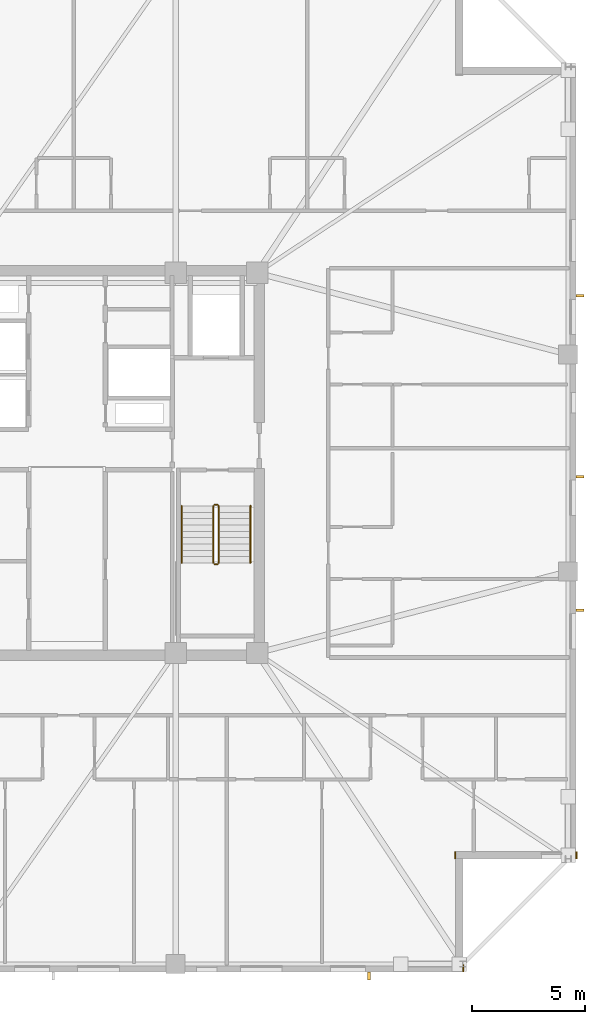
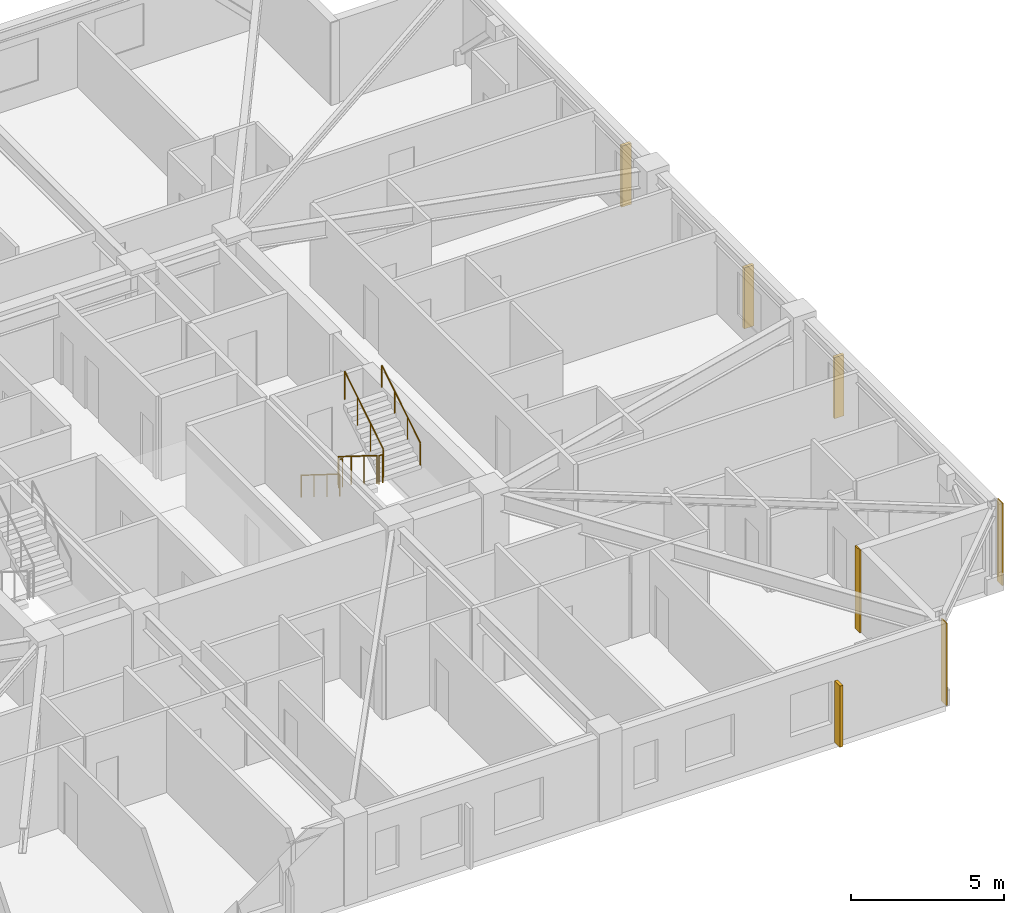
# One storey, part 14 of 16: 6 railings, 4 shading devices, 3 coverings.
"""IFC4 building model written with IfcOpenShell, lengths in metres."""

from ifc_helpers import new_model, si_unit, direction, frame, frame_2d, origin, origin_2d, place, context, subcontext, project, spatial, rectangle, circle, extrude, material, layer, layer_set, type_object, element, save


model = new_model("IFC4")

# Units and contexts
model_context = context("Model", 3, precision=1e-05, world=origin(), true_north=direction((0.0, 1.0)))
body_context = subcontext(model_context, "Body", "Model", "MODEL_VIEW")
ifc_project = project(units=[si_unit("LENGTHUNIT", "METRE"), si_unit("AREAUNIT", "SQUARE_METRE"), si_unit("VOLUMEUNIT", "CUBIC_METRE"), si_unit("PLANEANGLEUNIT", "RADIAN"), si_unit("MASSUNIT", "GRAM", prefix="KILO")], contexts=[model_context])

# Site, building, storey
site_placement = place(None, origin())
site = spatial("IfcSite", under=ifc_project, at=site_placement, CompositionType="ELEMENT")
building_placement = place(site_placement, origin())
building = spatial("IfcBuilding", under=site, at=building_placement, Name="Cairnveth Concourse Tower", CompositionType="ELEMENT")
storey_placement = place(building_placement, frame((0.0, 0.0, 255.0)))
storey = spatial("IfcBuildingStorey", under=building, at=storey_placement, Name="L70", CompositionType="ELEMENT", Elevation=255.0)

# Coverings
ifc_material_1 = material(Name="Dressed Melbourne Bluestone Cladding", Category="masonry")
ifc_layer = layer(ifc_material_1, 0.050048828125)
ifc_layer_set = layer_set([ifc_layer], Name="Dressed Melbourne Bluestone Cladding")
covering_type = type_object("IfcCoveringType", Name="DRESSED BLUESTONE PLINTH CLADDING 50", PredefinedType="CLADDING", material=ifc_layer_set)
for number, where, z_axis, x_axis, name in (
    (1, (74.52001953125, 21.820068359375, 0.0), (0.0, 0.0, 1.0), (0.0, -1.0, 0.0), "Melbourne Bluestone Corner Quoin L70-1062"),
    (2, (69.159912109375, 21.820068359375, 0.0), (0.0, 0.0, 1.0), (0.0, -1.0, 0.0), "Melbourne Bluestone Corner Quoin L70-1063"),
    (3, (69.52001953125, 16.820068359375, 0.0), (0.0, 0.0, 1.0), (0.0, -1.0, 0.0), "Melbourne Bluestone Corner Quoin L70-1064"),
):
    element("IfcCovering", number, at=place(storey_placement, frame(where, z_axis=z_axis, x_axis=x_axis)), inside=storey, type_object=covering_type, Name=name, PredefinedType="CLADDING", context=body_context, shape_type="SweptSolid", body=[
        extrude(rectangle(XDim=0.320068359375, YDim=0.050048828125, at=frame_2d((0.16015625, 0.0))), origin(), (0.0, 0.0, 1.0), 3.2900390625),
    ])

# Shading devices
ifc_material_2 = material(Name="Architectural Bronze Anodised Aluminium 6063-T6", Category="aluminium")
shading_device_type = type_object("IfcShadingDeviceType", Name="GOTHIC BRONZE VERTICAL LANCET FIN", PredefinedType="USERDEFINED", material=ifc_material_2)
for number, where, z_axis, x_axis, name in (
    (4, (74.675048828125, 46.39697265625, 0.030029296875), (0.0, 0.0, 1.0), (0.0, 1.0, 0.0), "Gothic Bronze Vertical Fin L70-6-3"),
    (5, (74.675048828125, 38.396484375, 0.030029296875), (0.0, 0.0, 1.0), (0.0, 1.0, 0.0), "Gothic Bronze Vertical Fin L70-6-5"),
    (6, (74.675048828125, 32.495849609375, 0.030029296875), (0.0, 0.0, 1.0), (0.0, 1.0, 0.0), "Gothic Bronze Vertical Fin L70-6-7"),
    (7, (65.347412109375, 16.324951171875, 0.030029296875), (0.0, 0.0, 1.0), (1.0, 0.0, 0.0), "Gothic Bronze Vertical Fin L70-9-1"),
):
    element("IfcShadingDevice", number, at=place(storey_placement, frame(where, z_axis=z_axis, x_axis=x_axis)), inside=storey, type_object=shading_device_type, Name=name, ObjectType="VERTICAL FIN", PredefinedType="USERDEFINED", context=body_context, shape_type="SweptSolid", body=[
        extrude(rectangle(XDim=0.1201171875, YDim=0.360107421875, at=origin_2d()), origin(), (0.0, 0.0, 1.0), 2.43798828125),
    ])

# Railings
ifc_material_3 = material(Name="Steel Grade 350", Category="steel")
railing_type_1 = type_object("IfcRailingType", Name="STAIR GUARDRAIL 1150", PredefinedType="GUARDRAIL", material=ifc_material_3)
railing_1_placement = place(storey_placement, frame((58.469970703125, 37.10009765625, 0.175048828125)))
element("IfcRailing", 8, at=railing_1_placement, inside=storey, type_object=railing_type_1, Name="L70 ST-2 stair guard 1", PredefinedType="GUARDRAIL", context=body_context, shape_type="SweptSolid", body=[
    extrude(circle(Radius=0.02392578125, at=origin_2d()), frame((0.0, 0.0, 1.1259765625), z_axis=(0.0, -0.848007534815, 0.529984170421), x_axis=(1.0, 0.0, 0.0)), (0.0, 0.0, 1.0), 2.9716796875),
    extrude(circle(Radius=0.02099609375, at=origin_2d()), origin(), (0.0, 0.0, 1.0), 1.101806640625),
    extrude(circle(Radius=0.02099609375, at=origin_2d()), frame((0.0, -0.840087890625, 0.52490234375)), (0.0, 0.0, 1.0), 1.101806640625),
    extrude(circle(Radius=0.02099609375, at=origin_2d()), frame((0.0, -1.679931640625, 1.050048828125)), (0.0, 0.0, 1.0), 1.101806640625),
    extrude(circle(Radius=0.02099609375, at=origin_2d()), frame((0.0, -2.52001953125, 1.574951171875)), (0.0, 0.0, 1.0), 1.101806640625),
])
railing_2_placement = place(storey_placement, frame((58.52001953125, 34.530029296875, 1.75)))
element("IfcRailing", 9, at=railing_2_placement, inside=storey, type_object=railing_type_1, Name="L70 ST-2 stair guard 2", PredefinedType="GUARDRAIL", context=body_context, shape_type="SweptSolid", body=[
    extrude(circle(Radius=0.02392578125, at=origin_2d()), frame((0.0, 0.0, 1.1259765625), z_axis=(1.0, 0.0, 0.0), x_axis=(0.0, 1.0, 0.0)), (0.0, 0.0, 1.0), 0.139892578125),
    extrude(circle(Radius=0.02099609375, at=origin_2d()), origin(), (0.0, 0.0, 1.0), 1.101806640625),
    extrude(circle(Radius=0.02099609375, at=origin_2d()), frame((0.139892578125, 0.0, 0.0)), (0.0, 0.0, 1.0), 1.101806640625),
])
railing_3_placement = place(storey_placement, frame((58.7099609375, 34.580078125, 1.925048828125)))
element("IfcRailing", 10, at=railing_3_placement, inside=storey, type_object=railing_type_1, Name="L70 ST-2 stair guard 3", PredefinedType="GUARDRAIL", context=body_context, shape_type="SweptSolid", body=[
    extrude(circle(Radius=0.02392578125, at=origin_2d()), frame((0.0, 0.0, 1.1259765625), z_axis=(0.0, 0.848007534815, 0.529984170421), x_axis=(-1.0, 0.0, 0.0)), (0.0, 0.0, 1.0), 2.9716796875),
    extrude(circle(Radius=0.02099609375, at=origin_2d()), origin(), (0.0, 0.0, 1.0), 1.101806640625),
    extrude(circle(Radius=0.02099609375, at=origin_2d()), frame((0.0, 0.840087890625, 0.52490234375)), (0.0, 0.0, 1.0), 1.101806640625),
    extrude(circle(Radius=0.02099609375, at=origin_2d()), frame((0.0, 1.679931640625, 1.050048828125)), (0.0, 0.0, 1.0), 1.101806640625),
    extrude(circle(Radius=0.02099609375, at=origin_2d()), frame((0.0, 2.52001953125, 1.574951171875)), (0.0, 0.0, 1.0), 1.101806640625),
])
railing_4_placement = place(storey_placement, frame((58.52001953125, 37.14990234375, 0.0)))
element("IfcRailing", 11, at=railing_4_placement, inside=storey, type_object=railing_type_1, Name="L70 ST-2 stair guard 4", PredefinedType="GUARDRAIL", context=body_context, shape_type="SweptSolid", body=[
    extrude(circle(Radius=0.02392578125, at=origin_2d()), frame((0.0, 0.0, 1.1259765625), z_axis=(1.0, 0.0, 0.0), x_axis=(0.0, 1.0, 0.0)), (0.0, 0.0, 1.0), 0.139892578125),
    extrude(circle(Radius=0.02099609375, at=origin_2d()), origin(), (0.0, 0.0, 1.0), 1.101806640625),
    extrude(circle(Radius=0.02099609375, at=origin_2d()), frame((0.139892578125, 0.0, 0.0)), (0.0, 0.0, 1.0), 1.101806640625),
])
railing_type_2 = type_object("IfcRailingType", Name="STAIR WALL HANDRAIL 900", PredefinedType="HANDRAIL", material=ifc_material_3)
railing_5_placement = place(storey_placement, frame((57.070068359375, 37.10009765625, 0.175048828125)))
element("IfcRailing", 12, at=railing_5_placement, inside=storey, type_object=railing_type_2, Name="L70 ST-2 stair handrail 1", PredefinedType="HANDRAIL", context=body_context, shape_type="SweptSolid", body=[
    extrude(circle(Radius=0.02392578125, at=origin_2d()), frame((0.0, 0.0, 0.8759765625), z_axis=(0.0, -0.848007534815, 0.529984170421), x_axis=(1.0, 0.0, 0.0)), (0.0, 0.0, 1.0), 2.9716796875),
    extrude(circle(Radius=0.02099609375, at=origin_2d()), origin(), (0.0, 0.0, 1.0), 0.851806640625),
    extrude(circle(Radius=0.02099609375, at=origin_2d()), frame((0.0, -0.840087890625, 0.52490234375)), (0.0, 0.0, 1.0), 0.851806640625),
    extrude(circle(Radius=0.02099609375, at=origin_2d()), frame((0.0, -1.679931640625, 1.050048828125)), (0.0, 0.0, 1.0), 0.851806640625),
    extrude(circle(Radius=0.02099609375, at=origin_2d()), frame((0.0, -2.52001953125, 1.574951171875)), (0.0, 0.0, 1.0), 0.851806640625),
])
railing_6_placement = place(storey_placement, frame((60.110107421875, 34.580078125, 1.925048828125)))
element("IfcRailing", 13, at=railing_6_placement, inside=storey, type_object=railing_type_2, Name="L70 ST-2 stair handrail 2", PredefinedType="HANDRAIL", context=body_context, shape_type="SweptSolid", body=[
    extrude(circle(Radius=0.02392578125, at=origin_2d()), frame((0.0, 0.0, 0.8759765625), z_axis=(0.0, 0.848007534815, 0.529984170421), x_axis=(-1.0, 0.0, 0.0)), (0.0, 0.0, 1.0), 2.9716796875),
    extrude(circle(Radius=0.02099609375, at=origin_2d()), origin(), (0.0, 0.0, 1.0), 0.851806640625),
    extrude(circle(Radius=0.02099609375, at=origin_2d()), frame((0.0, 0.840087890625, 0.52490234375)), (0.0, 0.0, 1.0), 0.851806640625),
    extrude(circle(Radius=0.02099609375, at=origin_2d()), frame((0.0, 1.679931640625, 1.050048828125)), (0.0, 0.0, 1.0), 0.851806640625),
    extrude(circle(Radius=0.02099609375, at=origin_2d()), frame((0.0, 2.52001953125, 1.574951171875)), (0.0, 0.0, 1.0), 0.851806640625),
])

save(model, "model.ifc")
